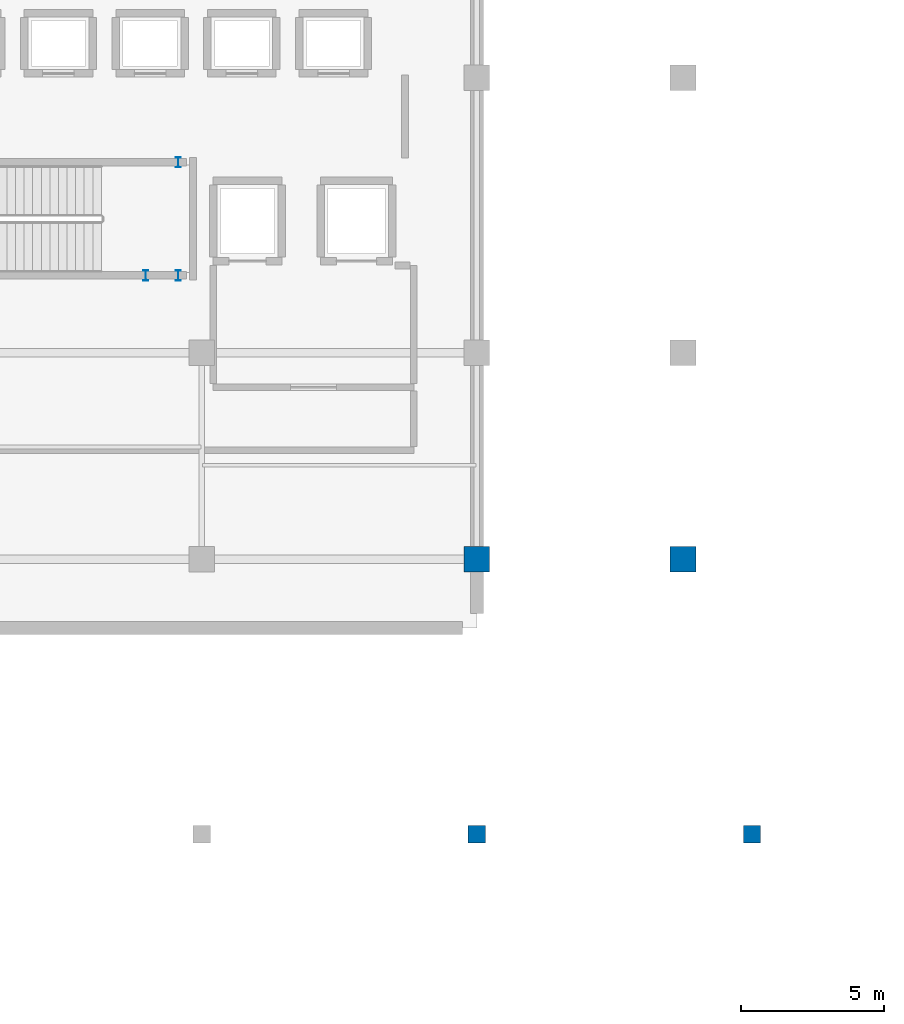
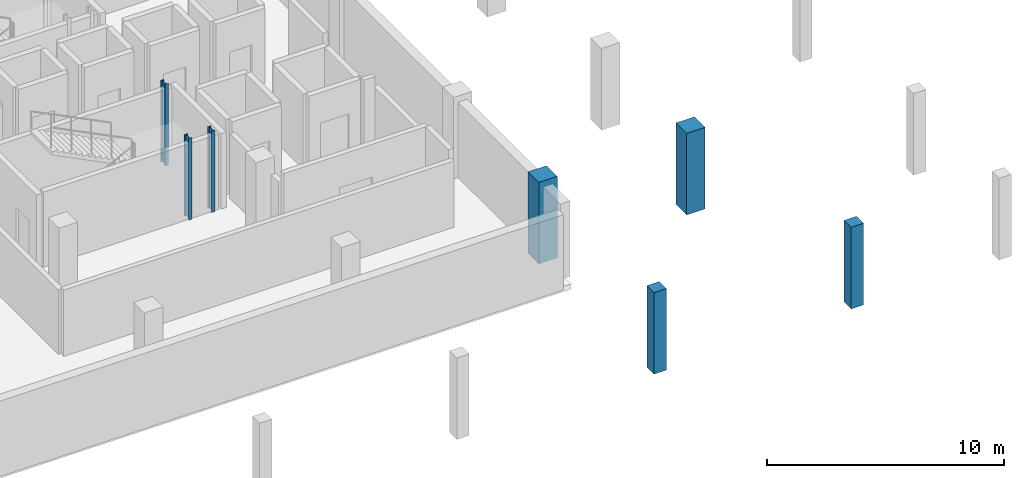
# One storey, part 17 of 47: 7 columns.
"""IFC4 building model written with IfcOpenShell, lengths in metres."""

from ifc_helpers import new_model, si_unit, direction, frame, origin, origin_2d, place, context, subcontext, project, spatial, rectangle, i_section, extrude, material, material_profile, profile_set, type_object, element, save


model = new_model("IFC4")

# Units and contexts
model_context = context("Model", 3, precision=1e-05, world=origin(), true_north=direction((0.0, 1.0)))
body_context = subcontext(model_context, "Body", "Model", "MODEL_VIEW")
ifc_project = project(units=[si_unit("LENGTHUNIT", "METRE"), si_unit("AREAUNIT", "SQUARE_METRE"), si_unit("VOLUMEUNIT", "CUBIC_METRE"), si_unit("PLANEANGLEUNIT", "RADIAN"), si_unit("MASSUNIT", "GRAM", prefix="KILO")], contexts=[model_context])

# Site, building, storey
site_placement = place(None, origin())
site = spatial("IfcSite", under=ifc_project, at=site_placement, CompositionType="ELEMENT")
building_placement = place(site_placement, origin())
building = spatial("IfcBuilding", under=site, at=building_placement, Name="Zevrakil Square Congress Hotel", CompositionType="ELEMENT")
storey_placement = place(building_placement, frame((0.0, 0.0, -4.199951171875)))
storey = spatial("IfcBuildingStorey", under=building, at=storey_placement, Name="B1", CompositionType="ELEMENT", Elevation=-4.199951171875)

# Columns
ifc_material_1 = material(Name="Steel S355", Category="steel")
ifc_material_profile_1 = material_profile(ifc_material_1, i_section(OverallWidth=0.169921875, OverallDepth=0.360107421875, WebThickness=0.008056640625, FlangeThickness=0.0126953125, FilletRadius=0.01806640625, at=origin_2d()), Name="IPE 360")
ifc_profile_set_1 = profile_set([ifc_material_profile_1], Name="Steel S355")
column_type_1 = type_object("IfcColumnType", Name="COL-PILASTER-SHS180", PredefinedType="PILASTER", material=ifc_profile_set_1)
for number, where, z_axis, x_axis, name in (
    (1, (144.449951171875, 19.5, 0.0), (0.0, 0.0, 1.0), (1.0, 0.0, 0.0), "B1 ST01 stair shaft post 1"),
    (2, (145.580078125, 19.5, 0.0), (0.0, 0.0, 1.0), (1.0, 0.0, 0.0), "B1 ST01 stair shaft post 2"),
    (3, (145.580078125, 23.449951171875, 0.0), (0.0, 0.0, 1.0), (1.0, 0.0, 0.0), "B1 ST01 stair shaft post 3"),
):
    element("IfcColumn", number, at=place(storey_placement, frame(where, z_axis=z_axis, x_axis=x_axis)), inside=storey, type_object=column_type_1, Name=name, PredefinedType="PILASTER", context=body_context, shape_type="SweptSolid", body=[
        extrude(i_section(OverallWidth=0.169921875, OverallDepth=0.360107421875, WebThickness=0.008056640625, FlangeThickness=0.0126953125, FilletRadius=0.01806640625, at=origin_2d()), origin(), (0.0, 0.0, 1.0), 4.199951171875),
    ])
ifc_material_2 = material(Name="Concrete C40/50", Category="concrete")
ifc_material_profile_2 = material_profile(ifc_material_2, rectangle(XDim=0.60009765625, YDim=0.60009765625, at=origin_2d()), Name="RC 600x600")
ifc_profile_set_2 = profile_set([ifc_material_profile_2], Name="Concrete C40/50")
column_type_2 = type_object("IfcColumnType", Name="COL-RC600", PredefinedType="COLUMN", material=ifc_profile_set_2)
for number, where, z_axis, x_axis, name in (
    (4, (156.0, 0.0, 0.0), (0.0, 0.0, 1.0), (1.0, 0.0, 0.0), "B1 column C-220"),
    (5, (165.60009765625, 0.0, 0.0), (0.0, 0.0, 1.0), (1.0, 0.0, 0.0), "B1 column C-234"),
):
    element("IfcColumn", number, at=place(storey_placement, frame(where, z_axis=z_axis, x_axis=x_axis)), inside=storey, type_object=column_type_2, Name=name, PredefinedType="COLUMN", context=body_context, shape_type="SweptSolid", body=[
        extrude(rectangle(XDim=0.60009765625, YDim=0.60009765625, at=origin_2d()), origin(), (0.0, 0.0, 1.0), 4.199951171875),
    ])
ifc_material_3 = material(Name="Concrete C40/50", Category="concrete")
ifc_material_profile_3 = material_profile(ifc_material_3, rectangle(XDim=0.89990234375, YDim=0.89990234375, at=origin_2d()), Name="RC 900x900")
ifc_profile_set_3 = profile_set([ifc_material_profile_3], Name="Concrete C40/50")
column_type_3 = type_object("IfcColumnType", Name="COL-RC900", PredefinedType="COLUMN", material=ifc_profile_set_3)
for number, where, z_axis, x_axis, name in (
    (6, (156.0, 9.60009765625, 0.0), (0.0, 0.0, 1.0), (1.0, 0.0, 0.0), "B1 column C-221"),
    (7, (163.199951171875, 9.60009765625, 0.0), (0.0, 0.0, 1.0), (1.0, 0.0, 0.0), "B1 column C-229"),
):
    element("IfcColumn", number, at=place(storey_placement, frame(where, z_axis=z_axis, x_axis=x_axis)), inside=storey, type_object=column_type_3, Name=name, PredefinedType="COLUMN", context=body_context, shape_type="SweptSolid", body=[
        extrude(rectangle(XDim=0.89990234375, YDim=0.89990234375, at=origin_2d()), origin(), (0.0, 0.0, 1.0), 4.199951171875),
    ])

save(model, "model.ifc")
